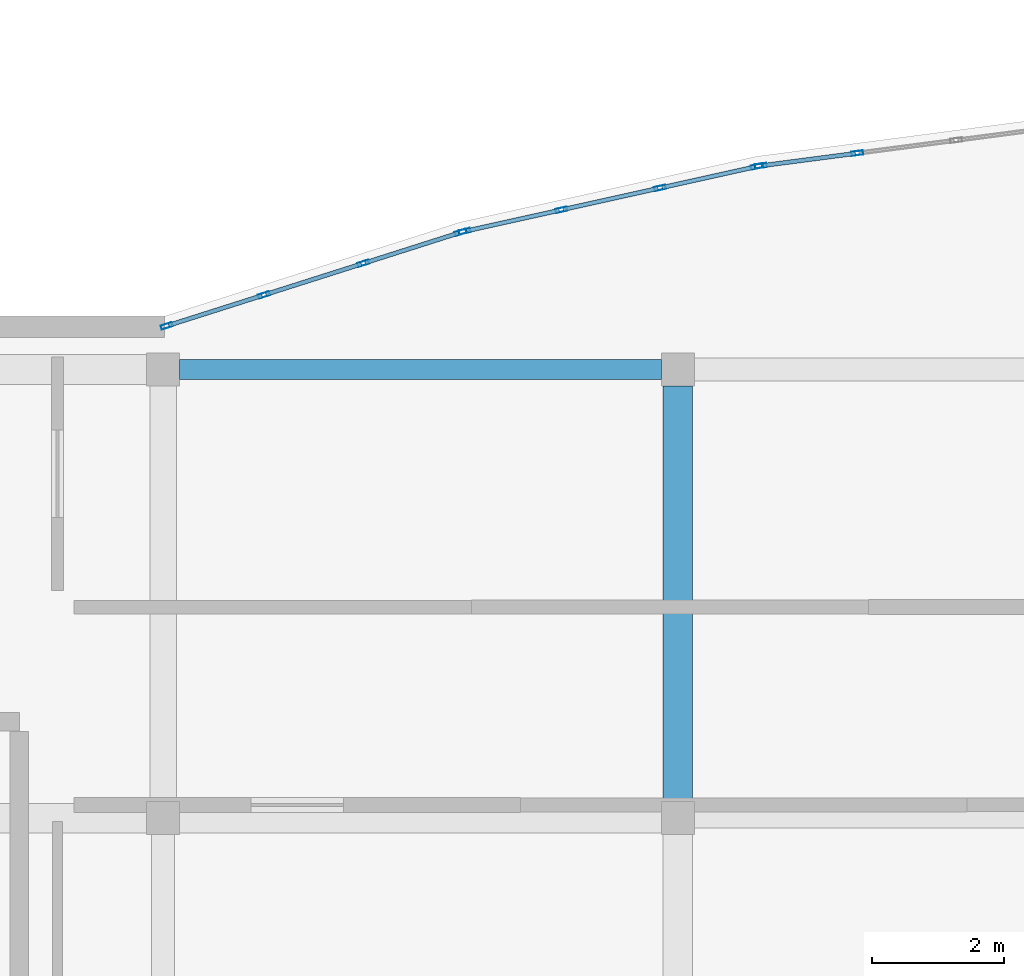
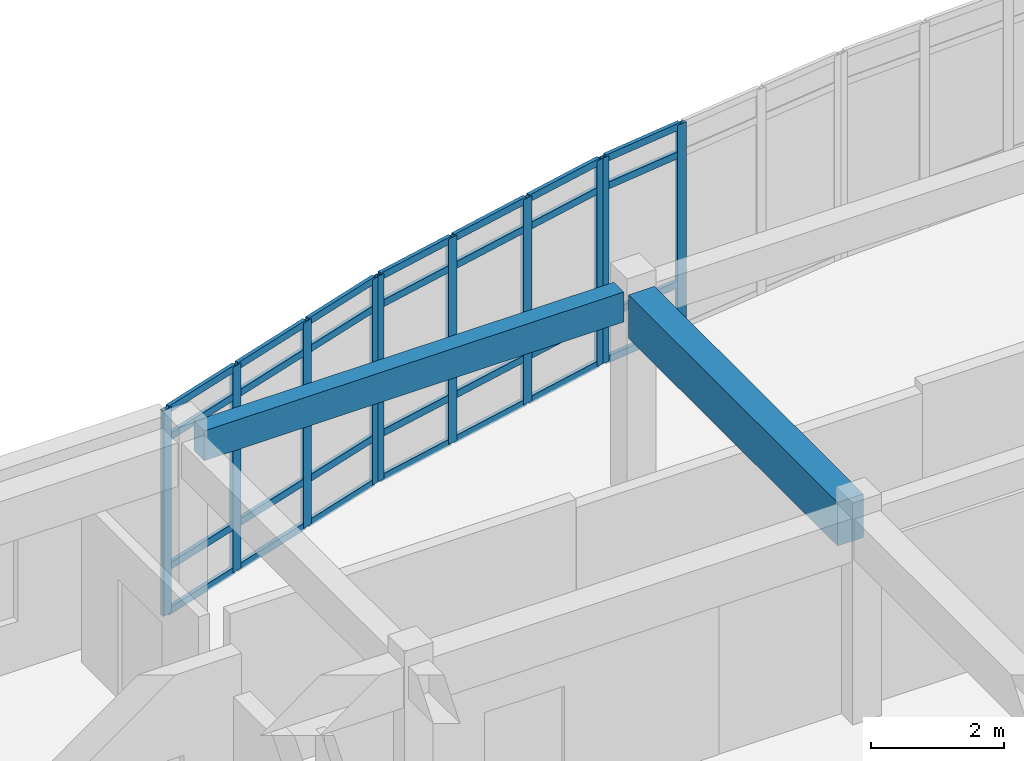
# One storey, part 36 of 91: 38 members, 2 beams, 3 elements without a shape of their own.
"""IFC4 building model written with IfcOpenShell, lengths in metres."""

from ifc_helpers import new_model, si_unit, direction, frame, origin, origin_2d, place, context, subcontext, project, spatial, rectangle, hollow_rectangle, extrude, material, layer, layer_set, material_profile, profile_set, type_object, element, aggregate, save


model = new_model("IFC4")

# Units and contexts
model_context = context("Model", 3, precision=1e-05, world=origin(), true_north=direction((0.0, 1.0)))
body_context = subcontext(model_context, "Body", "Model", "MODEL_VIEW")
ifc_project = project(units=[si_unit("LENGTHUNIT", "METRE"), si_unit("AREAUNIT", "SQUARE_METRE"), si_unit("VOLUMEUNIT", "CUBIC_METRE"), si_unit("PLANEANGLEUNIT", "RADIAN"), si_unit("MASSUNIT", "GRAM", prefix="KILO")], contexts=[model_context])

# Site, building, storey
site_placement = place(None, origin())
site = spatial("IfcSite", under=ifc_project, at=site_placement, CompositionType="ELEMENT")
building_placement = place(site_placement, origin())
building = spatial("IfcBuilding", under=site, at=building_placement, Name="Valcora Specialist Clinic", CompositionType="ELEMENT")
storey_placement = place(building_placement, frame((0.0, 0.0, 13.60009765625)))
storey = spatial("IfcBuildingStorey", under=building, at=storey_placement, Name="L03", CompositionType="ELEMENT", Elevation=13.60009765625)

# Beams
ifc_material_1 = material(Name="Concrete C40/50", Category="concrete")
ifc_material_profile_1 = material_profile(ifc_material_1, rectangle(XDim=0.300048828125, YDim=0.550048828125, at=origin_2d()), Name="RC-BM-300X550")
ifc_profile_set_1 = profile_set([ifc_material_profile_1], Name="Concrete C40/50")
beam_type_1 = type_object("IfcBeamType", Name="TY-BM-RC300X550", PredefinedType="BEAM", material=ifc_profile_set_1)
beam_1_placement = place(storey_placement, frame((69.25, 22.0, 3.5048828125), z_axis=(1.0, 0.0, 0.0), x_axis=(0.0, 1.0, 0.0)))
element("IfcBeam", 1, at=beam_1_placement, inside=storey, type_object=beam_type_1, Name="Beam BM-L03-1441", PredefinedType="BEAM", context=body_context, shape_type="SweptSolid", body=[
    extrude(rectangle(XDim=0.300048828125, YDim=0.550048828125, at=origin_2d()), origin(), (0.0, 0.0, 1.0), 7.300048828125),
])
ifc_material_profile_2 = material_profile(ifc_material_1, rectangle(XDim=0.449951171875, YDim=0.800048828125, at=origin_2d()), Name="RC-BM-450X800")
ifc_profile_set_2 = profile_set([ifc_material_profile_2], Name="Concrete C40/50")
beam_type_2 = type_object("IfcBeamType", Name="TY-BM-RC450X800", PredefinedType="BEAM", material=ifc_profile_set_2)
beam_2_placement = place(storey_placement, frame((76.800048828125, 15.449951171875, 3.3798828125), z_axis=(0.0, 1.0, 0.0), x_axis=(-1.0, 0.0, 0.0)))
element("IfcBeam", 2, at=beam_2_placement, inside=storey, type_object=beam_type_2, Name="Beam BM-L03-1456", PredefinedType="BEAM", context=body_context, shape_type="SweptSolid", body=[
    extrude(rectangle(XDim=0.449951171875, YDim=0.800048828125, at=origin_2d()), origin(), (0.0, 0.0, 1.0), 6.300048828125),
])

# Curtain wall, members
ifc_material_2 = material(Name="Anodized Bronze Aluminium 6063-T6", Category="aluminium")
ifc_layer = layer(ifc_material_2, 0.175048828125)
ifc_layer_set = layer_set([ifc_layer], Name="Anodized Bronze Aluminium 6063-T6")
curtain_wall_type = type_object("IfcCurtainWallType", Name="TY-CW-ARC40", PredefinedType="NOTDEFINED", material=ifc_layer_set)
curtain_wall_1_placement = place(storey_placement, origin())
curtain_wall_1 = element("IfcCurtainWall", 3, at=curtain_wall_1_placement, inside=storey, type_object=curtain_wall_type, Name="Curtain wall CW-L03-210", PredefinedType="NOTDEFINED")
ifc_material_profile_3 = material_profile(ifc_material_2, hollow_rectangle(XDim=0.06494140625, YDim=0.175048828125, WallThickness=0.00390625, at=origin_2d()), Name="AL-MUL-65X175")
ifc_profile_set_3 = profile_set([ifc_material_profile_3], Name="Anodized Bronze Aluminium 6063-T6")
member_type_1 = type_object("IfcMemberType", Name="TY-CWM-65X175", PredefinedType="MULLION", material=ifc_profile_set_3)
member_1_placement = place(storey_placement, frame((69.05419921875, 22.659912109375, 0.0), z_axis=(0.0, 0.0, 1.0), x_axis=(-0.303233270958, 0.952916356972, 0.0)))
member_1 = element("IfcMember", 4, at=member_1_placement, type_object=member_type_1, Name="CW-ARC-40 mullion 1", PredefinedType="MULLION", context=body_context, shape_type="SweptSolid", body=[
    extrude(hollow_rectangle(XDim=0.06494140625, YDim=0.175048828125, WallThickness=0.00390625, at=origin_2d()), origin(), (0.0, 0.0, 1.0), 3.77978515625),
])
member_2_placement = place(storey_placement, frame((70.528564453125, 23.12890625, 0.0), z_axis=(0.0, 0.0, 1.0), x_axis=(-0.303233270958, 0.952916356972, 0.0)))
member_2 = element("IfcMember", 5, at=member_2_placement, type_object=member_type_1, Name="CW-ARC-40 mullion 2", PredefinedType="MULLION", context=body_context, shape_type="SweptSolid", body=[
    extrude(hollow_rectangle(XDim=0.06494140625, YDim=0.175048828125, WallThickness=0.00390625, at=origin_2d()), origin(), (0.0, 0.0, 1.0), 3.77978515625),
])
member_3_placement = place(storey_placement, frame((72.033935546875, 23.60791015625, 0.0), z_axis=(0.0, 0.0, 1.0), x_axis=(-0.303233270958, 0.952916356972, 0.0)))
member_3 = element("IfcMember", 6, at=member_3_placement, type_object=member_type_1, Name="CW-ARC-40 mullion 3", PredefinedType="MULLION", context=body_context, shape_type="SweptSolid", body=[
    extrude(hollow_rectangle(XDim=0.06494140625, YDim=0.175048828125, WallThickness=0.00390625, at=origin_2d()), origin(), (0.0, 0.0, 1.0), 3.77978515625),
])
member_4_placement = place(storey_placement, frame((73.508056640625, 24.0771484375, 0.0), z_axis=(0.0, 0.0, 1.0), x_axis=(-0.303233270958, 0.952916356972, 0.0)))
member_4 = element("IfcMember", 7, at=member_4_placement, type_object=member_type_1, Name="CW-ARC-40 mullion 4", PredefinedType="MULLION", context=body_context, shape_type="SweptSolid", body=[
    extrude(hollow_rectangle(XDim=0.06494140625, YDim=0.175048828125, WallThickness=0.00390625, at=origin_2d()), origin(), (0.0, 0.0, 1.0), 3.77978515625),
])

curtain_wall_2_placement = place(storey_placement, origin())
curtain_wall_2 = element("IfcCurtainWall", 8, at=curtain_wall_2_placement, inside=storey, type_object=curtain_wall_type, Name="Curtain wall CW-L03-211", PredefinedType="NOTDEFINED")
member_5_placement = place(storey_placement, frame((73.57080078125, 24.093994140625, 0.0), z_axis=(0.0, 0.0, 1.0), x_axis=(-0.216518052372, 0.976278614432, 0.0)))
member_5 = element("IfcMember", 9, at=member_5_placement, type_object=member_type_1, Name="CW-ARC-40 mullion 1", PredefinedType="MULLION", context=body_context, shape_type="SweptSolid", body=[
    extrude(hollow_rectangle(XDim=0.06494140625, YDim=0.175048828125, WallThickness=0.00390625, at=origin_2d()), origin(), (0.0, 0.0, 1.0), 3.77978515625),
])
member_6_placement = place(storey_placement, frame((75.03466796875, 24.418701171875, 0.0), z_axis=(0.0, 0.0, 1.0), x_axis=(-0.216518052372, 0.976278614432, 0.0)))
member_6 = element("IfcMember", 10, at=member_6_placement, type_object=member_type_1, Name="CW-ARC-40 mullion 2", PredefinedType="MULLION", context=body_context, shape_type="SweptSolid", body=[
    extrude(hollow_rectangle(XDim=0.06494140625, YDim=0.175048828125, WallThickness=0.00390625, at=origin_2d()), origin(), (0.0, 0.0, 1.0), 3.77978515625),
])
member_7_placement = place(storey_placement, frame((76.5302734375, 24.75048828125, 0.0), z_axis=(0.0, 0.0, 1.0), x_axis=(-0.216518052372, 0.976278614432, 0.0)))
member_7 = element("IfcMember", 11, at=member_7_placement, type_object=member_type_1, Name="CW-ARC-40 mullion 3", PredefinedType="MULLION", context=body_context, shape_type="SweptSolid", body=[
    extrude(hollow_rectangle(XDim=0.06494140625, YDim=0.175048828125, WallThickness=0.00390625, at=origin_2d()), origin(), (0.0, 0.0, 1.0), 3.77978515625),
])
member_8_placement = place(storey_placement, frame((77.994384765625, 25.074951171875, 0.0), z_axis=(0.0, 0.0, 1.0), x_axis=(-0.216518052372, 0.976278614432, 0.0)))
member_8 = element("IfcMember", 12, at=member_8_placement, type_object=member_type_1, Name="CW-ARC-40 mullion 4", PredefinedType="MULLION", context=body_context, shape_type="SweptSolid", body=[
    extrude(hollow_rectangle(XDim=0.06494140625, YDim=0.175048828125, WallThickness=0.00390625, at=origin_2d()), origin(), (0.0, 0.0, 1.0), 3.77978515625),
])

curtain_wall_3_placement = place(storey_placement, origin())
curtain_wall_3 = element("IfcCurtainWall", 13, at=curtain_wall_3_placement, inside=storey, type_object=curtain_wall_type, Name="Curtain wall CW-L03-212", PredefinedType="NOTDEFINED")
member_9_placement = place(storey_placement, frame((78.05810546875, 25.08642578125, 0.0), z_axis=(0.0, 0.0, 1.0), x_axis=(-0.129999492259, 0.991514060421, 0.0)))
member_9 = element("IfcMember", 14, at=member_9_placement, type_object=member_type_1, Name="CW-ARC-40 mullion 1", PredefinedType="MULLION", context=body_context, shape_type="SweptSolid", body=[
    extrude(hollow_rectangle(XDim=0.06494140625, YDim=0.175048828125, WallThickness=0.00390625, at=origin_2d()), origin(), (0.0, 0.0, 1.0), 3.77978515625),
])
member_10_placement = place(storey_placement, frame((79.521728515625, 25.2783203125, 0.0), z_axis=(0.0, 0.0, 1.0), x_axis=(-0.129999492259, 0.991514060421, 0.0)))
member_10 = element("IfcMember", 15, at=member_10_placement, type_object=member_type_1, Name="CW-ARC-40 mullion 2", PredefinedType="MULLION", context=body_context, shape_type="SweptSolid", body=[
    extrude(hollow_rectangle(XDim=0.06494140625, YDim=0.175048828125, WallThickness=0.00390625, at=origin_2d()), origin(), (0.0, 0.0, 1.0), 3.77978515625),
])

# Member
ifc_material_profile_4 = material_profile(ifc_material_2, hollow_rectangle(XDim=0.06494140625, YDim=0.1298828125, WallThickness=0.00390625, at=origin_2d()), Name="AL-TRN-65X130")
ifc_profile_set_4 = profile_set([ifc_material_profile_4], Name="Anodized Bronze Aluminium 6063-T6")
member_type_2 = type_object("IfcMemberType", Name="TY-CWT-65X130", PredefinedType="USERDEFINED", material=ifc_profile_set_4)
member_11_placement = place(storey_placement, frame((69.085205078125, 22.669677734375, 0.032470703125), z_axis=(0.952910635624, 0.303251249816, 0.0), x_axis=(-0.303251249816, 0.952910635624, 0.0)))
member_11 = element("IfcMember", 16, at=member_11_placement, type_object=member_type_2, Name="CW-ARC-40 transom 1.1", ObjectType="TRANSOM", PredefinedType="USERDEFINED", context=body_context, shape_type="SweptSolid", body=[
    extrude(hollow_rectangle(XDim=0.06494140625, YDim=0.1298828125, WallThickness=0.00390625, at=origin_2d()), origin(), (0.0, 0.0, 1.0), 1.482177734375),
])

member_12_placement = place(storey_placement, frame((69.085205078125, 22.669677734375, 0.849853515625), z_axis=(0.952910635624, 0.303251249816, 0.0), x_axis=(-0.303251249816, 0.952910635624, 0.0)))
member_12 = element("IfcMember", 17, at=member_12_placement, type_object=member_type_2, Name="CW-ARC-40 transom 1.2", ObjectType="TRANSOM", PredefinedType="USERDEFINED", context=body_context, shape_type="SweptSolid", body=[
    extrude(hollow_rectangle(XDim=0.06494140625, YDim=0.1298828125, WallThickness=0.00390625, at=origin_2d()), origin(), (0.0, 0.0, 1.0), 1.482177734375),
])

member_13_placement = place(storey_placement, frame((69.085205078125, 22.669677734375, 3.22998046875), z_axis=(0.952910635624, 0.303251249816, 0.0), x_axis=(-0.303251249816, 0.952910635624, 0.0)))
member_13 = element("IfcMember", 18, at=member_13_placement, type_object=member_type_2, Name="CW-ARC-40 transom 1.3", ObjectType="TRANSOM", PredefinedType="USERDEFINED", context=body_context, shape_type="SweptSolid", body=[
    extrude(hollow_rectangle(XDim=0.06494140625, YDim=0.1298828125, WallThickness=0.00390625, at=origin_2d()), origin(), (0.0, 0.0, 1.0), 1.482177734375),
])

member_14_placement = place(storey_placement, frame((69.085205078125, 22.669677734375, 3.747314453125), z_axis=(0.952910635624, 0.303251249816, 0.0), x_axis=(-0.303251249816, 0.952910635624, 0.0)))
member_14 = element("IfcMember", 19, at=member_14_placement, type_object=member_type_2, Name="CW-ARC-40 transom 1.4", ObjectType="TRANSOM", PredefinedType="USERDEFINED", context=body_context, shape_type="SweptSolid", body=[
    extrude(hollow_rectangle(XDim=0.06494140625, YDim=0.1298828125, WallThickness=0.00390625, at=origin_2d()), origin(), (0.0, 0.0, 1.0), 1.482177734375),
])

member_15_placement = place(storey_placement, frame((70.5595703125, 23.138916015625, 0.032470703125), z_axis=(0.952930013692, 0.303190351109, 0.0), x_axis=(-0.303190351109, 0.952930013692, 0.0)))
member_15 = element("IfcMember", 20, at=member_15_placement, type_object=member_type_2, Name="CW-ARC-40 transom 2.1", ObjectType="TRANSOM", PredefinedType="USERDEFINED", context=body_context, shape_type="SweptSolid", body=[
    extrude(hollow_rectangle(XDim=0.06494140625, YDim=0.1298828125, WallThickness=0.00390625, at=origin_2d()), origin(), (0.0, 0.0, 1.0), 1.5146484375),
])

member_16_placement = place(storey_placement, frame((70.5595703125, 23.138916015625, 0.849853515625), z_axis=(0.952930013692, 0.303190351109, 0.0), x_axis=(-0.303190351109, 0.952930013692, 0.0)))
member_16 = element("IfcMember", 21, at=member_16_placement, type_object=member_type_2, Name="CW-ARC-40 transom 2.2", ObjectType="TRANSOM", PredefinedType="USERDEFINED", context=body_context, shape_type="SweptSolid", body=[
    extrude(hollow_rectangle(XDim=0.06494140625, YDim=0.1298828125, WallThickness=0.00390625, at=origin_2d()), origin(), (0.0, 0.0, 1.0), 1.5146484375),
])

member_17_placement = place(storey_placement, frame((70.5595703125, 23.138916015625, 3.22998046875), z_axis=(0.952930013692, 0.303190351109, 0.0), x_axis=(-0.303190351109, 0.952930013692, 0.0)))
member_17 = element("IfcMember", 22, at=member_17_placement, type_object=member_type_2, Name="CW-ARC-40 transom 2.3", ObjectType="TRANSOM", PredefinedType="USERDEFINED", context=body_context, shape_type="SweptSolid", body=[
    extrude(hollow_rectangle(XDim=0.06494140625, YDim=0.1298828125, WallThickness=0.00390625, at=origin_2d()), origin(), (0.0, 0.0, 1.0), 1.5146484375),
])

member_18_placement = place(storey_placement, frame((70.5595703125, 23.138916015625, 3.747314453125), z_axis=(0.952930013692, 0.303190351109, 0.0), x_axis=(-0.303190351109, 0.952930013692, 0.0)))
member_18 = element("IfcMember", 23, at=member_18_placement, type_object=member_type_2, Name="CW-ARC-40 transom 2.4", ObjectType="TRANSOM", PredefinedType="USERDEFINED", context=body_context, shape_type="SweptSolid", body=[
    extrude(hollow_rectangle(XDim=0.06494140625, YDim=0.1298828125, WallThickness=0.00390625, at=origin_2d()), origin(), (0.0, 0.0, 1.0), 1.5146484375),
])

member_19_placement = place(storey_placement, frame((72.064697265625, 23.617919921875, 0.032470703125), z_axis=(0.952910635624, 0.303251249816, 0.0), x_axis=(-0.303251249816, 0.952910635624, 0.0)))
member_19 = element("IfcMember", 24, at=member_19_placement, type_object=member_type_2, Name="CW-ARC-40 transom 3.1", ObjectType="TRANSOM", PredefinedType="USERDEFINED", context=body_context, shape_type="SweptSolid", body=[
    extrude(hollow_rectangle(XDim=0.06494140625, YDim=0.1298828125, WallThickness=0.00390625, at=origin_2d()), origin(), (0.0, 0.0, 1.0), 1.482177734375),
])

member_20_placement = place(storey_placement, frame((72.064697265625, 23.617919921875, 0.849853515625), z_axis=(0.952910635624, 0.303251249816, 0.0), x_axis=(-0.303251249816, 0.952910635624, 0.0)))
member_20 = element("IfcMember", 25, at=member_20_placement, type_object=member_type_2, Name="CW-ARC-40 transom 3.2", ObjectType="TRANSOM", PredefinedType="USERDEFINED", context=body_context, shape_type="SweptSolid", body=[
    extrude(hollow_rectangle(XDim=0.06494140625, YDim=0.1298828125, WallThickness=0.00390625, at=origin_2d()), origin(), (0.0, 0.0, 1.0), 1.482177734375),
])

member_21_placement = place(storey_placement, frame((72.064697265625, 23.617919921875, 3.22998046875), z_axis=(0.952910635624, 0.303251249816, 0.0), x_axis=(-0.303251249816, 0.952910635624, 0.0)))
member_21 = element("IfcMember", 26, at=member_21_placement, type_object=member_type_2, Name="CW-ARC-40 transom 3.3", ObjectType="TRANSOM", PredefinedType="USERDEFINED", context=body_context, shape_type="SweptSolid", body=[
    extrude(hollow_rectangle(XDim=0.06494140625, YDim=0.1298828125, WallThickness=0.00390625, at=origin_2d()), origin(), (0.0, 0.0, 1.0), 1.482177734375),
])

member_22_placement = place(storey_placement, frame((72.064697265625, 23.617919921875, 3.747314453125), z_axis=(0.952910635624, 0.303251249816, 0.0), x_axis=(-0.303251249816, 0.952910635624, 0.0)))
member_22 = element("IfcMember", 27, at=member_22_placement, type_object=member_type_2, Name="CW-ARC-40 transom 3.4", ObjectType="TRANSOM", PredefinedType="USERDEFINED", context=body_context, shape_type="SweptSolid", body=[
    extrude(hollow_rectangle(XDim=0.06494140625, YDim=0.1298828125, WallThickness=0.00390625, at=origin_2d()), origin(), (0.0, 0.0, 1.0), 1.482177734375),
])

aggregate(curtain_wall_1, [member_1, member_2, member_3, member_4, member_11, member_12, member_13, member_14, member_15, member_16, member_17, member_18, member_19, member_20, member_21, member_22])

member_23_placement = place(storey_placement, frame((73.6025390625, 24.10107421875, 0.032470703125), z_axis=(0.976283078872, 0.216497921256, 0.0), x_axis=(-0.216497921256, 0.976283078872, 0.0)))
member_23 = element("IfcMember", 28, at=member_23_placement, type_object=member_type_2, Name="CW-ARC-40 transom 1.1", ObjectType="TRANSOM", PredefinedType="USERDEFINED", context=body_context, shape_type="SweptSolid", body=[
    extrude(hollow_rectangle(XDim=0.06494140625, YDim=0.1298828125, WallThickness=0.00390625, at=origin_2d()), origin(), (0.0, 0.0, 1.0), 1.434326171875),
])

member_24_placement = place(storey_placement, frame((73.6025390625, 24.10107421875, 0.849853515625), z_axis=(0.976283078872, 0.216497921256, 0.0), x_axis=(-0.216497921256, 0.976283078872, 0.0)))
member_24 = element("IfcMember", 29, at=member_24_placement, type_object=member_type_2, Name="CW-ARC-40 transom 1.2", ObjectType="TRANSOM", PredefinedType="USERDEFINED", context=body_context, shape_type="SweptSolid", body=[
    extrude(hollow_rectangle(XDim=0.06494140625, YDim=0.1298828125, WallThickness=0.00390625, at=origin_2d()), origin(), (0.0, 0.0, 1.0), 1.434326171875),
])

member_25_placement = place(storey_placement, frame((73.6025390625, 24.10107421875, 3.22998046875), z_axis=(0.976283078872, 0.216497921256, 0.0), x_axis=(-0.216497921256, 0.976283078872, 0.0)))
member_25 = element("IfcMember", 30, at=member_25_placement, type_object=member_type_2, Name="CW-ARC-40 transom 1.3", ObjectType="TRANSOM", PredefinedType="USERDEFINED", context=body_context, shape_type="SweptSolid", body=[
    extrude(hollow_rectangle(XDim=0.06494140625, YDim=0.1298828125, WallThickness=0.00390625, at=origin_2d()), origin(), (0.0, 0.0, 1.0), 1.434326171875),
])

member_26_placement = place(storey_placement, frame((73.6025390625, 24.10107421875, 3.747314453125), z_axis=(0.976283078872, 0.216497921256, 0.0), x_axis=(-0.216497921256, 0.976283078872, 0.0)))
member_26 = element("IfcMember", 31, at=member_26_placement, type_object=member_type_2, Name="CW-ARC-40 transom 1.4", ObjectType="TRANSOM", PredefinedType="USERDEFINED", context=body_context, shape_type="SweptSolid", body=[
    extrude(hollow_rectangle(XDim=0.06494140625, YDim=0.1298828125, WallThickness=0.00390625, at=origin_2d()), origin(), (0.0, 0.0, 1.0), 1.434326171875),
])

member_27_placement = place(storey_placement, frame((75.06640625, 24.42578125, 0.032470703125), z_axis=(0.976277043921, 0.216525133676, 0.0), x_axis=(-0.216525133676, 0.976277043921, 0.0)))
member_27 = element("IfcMember", 32, at=member_27_placement, type_object=member_type_2, Name="CW-ARC-40 transom 2.1", ObjectType="TRANSOM", PredefinedType="USERDEFINED", context=body_context, shape_type="SweptSolid", body=[
    extrude(hollow_rectangle(XDim=0.06494140625, YDim=0.1298828125, WallThickness=0.00390625, at=origin_2d()), origin(), (0.0, 0.0, 1.0), 1.467041015625),
])

member_28_placement = place(storey_placement, frame((75.06640625, 24.42578125, 0.849853515625), z_axis=(0.976277043921, 0.216525133676, 0.0), x_axis=(-0.216525133676, 0.976277043921, 0.0)))
member_28 = element("IfcMember", 33, at=member_28_placement, type_object=member_type_2, Name="CW-ARC-40 transom 2.2", ObjectType="TRANSOM", PredefinedType="USERDEFINED", context=body_context, shape_type="SweptSolid", body=[
    extrude(hollow_rectangle(XDim=0.06494140625, YDim=0.1298828125, WallThickness=0.00390625, at=origin_2d()), origin(), (0.0, 0.0, 1.0), 1.467041015625),
])

member_29_placement = place(storey_placement, frame((75.06640625, 24.42578125, 3.22998046875), z_axis=(0.976277043921, 0.216525133676, 0.0), x_axis=(-0.216525133676, 0.976277043921, 0.0)))
member_29 = element("IfcMember", 34, at=member_29_placement, type_object=member_type_2, Name="CW-ARC-40 transom 2.3", ObjectType="TRANSOM", PredefinedType="USERDEFINED", context=body_context, shape_type="SweptSolid", body=[
    extrude(hollow_rectangle(XDim=0.06494140625, YDim=0.1298828125, WallThickness=0.00390625, at=origin_2d()), origin(), (0.0, 0.0, 1.0), 1.467041015625),
])

member_30_placement = place(storey_placement, frame((75.06640625, 24.42578125, 3.747314453125), z_axis=(0.976277043921, 0.216525133676, 0.0), x_axis=(-0.216525133676, 0.976277043921, 0.0)))
member_30 = element("IfcMember", 35, at=member_30_placement, type_object=member_type_2, Name="CW-ARC-40 transom 2.4", ObjectType="TRANSOM", PredefinedType="USERDEFINED", context=body_context, shape_type="SweptSolid", body=[
    extrude(hollow_rectangle(XDim=0.06494140625, YDim=0.1298828125, WallThickness=0.00390625, at=origin_2d()), origin(), (0.0, 0.0, 1.0), 1.467041015625),
])

member_31_placement = place(storey_placement, frame((76.56201171875, 24.75732421875, 0.032470703125), z_axis=(0.976255079417, 0.216624144343, 0.0), x_axis=(-0.216624144343, 0.976255079417, 0.0)))
member_31 = element("IfcMember", 36, at=member_31_placement, type_object=member_type_2, Name="CW-ARC-40 transom 3.1", ObjectType="TRANSOM", PredefinedType="USERDEFINED", context=body_context, shape_type="SweptSolid", body=[
    extrude(hollow_rectangle(XDim=0.06494140625, YDim=0.1298828125, WallThickness=0.00390625, at=origin_2d()), origin(), (0.0, 0.0, 1.0), 1.434814453125),
])

member_32_placement = place(storey_placement, frame((76.56201171875, 24.75732421875, 0.849853515625), z_axis=(0.976255079417, 0.216624144343, 0.0), x_axis=(-0.216624144343, 0.976255079417, 0.0)))
member_32 = element("IfcMember", 37, at=member_32_placement, type_object=member_type_2, Name="CW-ARC-40 transom 3.2", ObjectType="TRANSOM", PredefinedType="USERDEFINED", context=body_context, shape_type="SweptSolid", body=[
    extrude(hollow_rectangle(XDim=0.06494140625, YDim=0.1298828125, WallThickness=0.00390625, at=origin_2d()), origin(), (0.0, 0.0, 1.0), 1.434814453125),
])

member_33_placement = place(storey_placement, frame((76.56201171875, 24.75732421875, 3.22998046875), z_axis=(0.976255079417, 0.216624144343, 0.0), x_axis=(-0.216624144343, 0.976255079417, 0.0)))
member_33 = element("IfcMember", 38, at=member_33_placement, type_object=member_type_2, Name="CW-ARC-40 transom 3.3", ObjectType="TRANSOM", PredefinedType="USERDEFINED", context=body_context, shape_type="SweptSolid", body=[
    extrude(hollow_rectangle(XDim=0.06494140625, YDim=0.1298828125, WallThickness=0.00390625, at=origin_2d()), origin(), (0.0, 0.0, 1.0), 1.434814453125),
])

member_34_placement = place(storey_placement, frame((76.56201171875, 24.75732421875, 3.747314453125), z_axis=(0.976255079417, 0.216624144343, 0.0), x_axis=(-0.216624144343, 0.976255079417, 0.0)))
member_34 = element("IfcMember", 39, at=member_34_placement, type_object=member_type_2, Name="CW-ARC-40 transom 3.4", ObjectType="TRANSOM", PredefinedType="USERDEFINED", context=body_context, shape_type="SweptSolid", body=[
    extrude(hollow_rectangle(XDim=0.06494140625, YDim=0.1298828125, WallThickness=0.00390625, at=origin_2d()), origin(), (0.0, 0.0, 1.0), 1.434814453125),
])

aggregate(curtain_wall_2, [member_5, member_6, member_7, member_8, member_23, member_24, member_25, member_26, member_27, member_28, member_29, member_30, member_31, member_32, member_33, member_34])

member_35_placement = place(storey_placement, frame((78.09033203125, 25.090576171875, 0.032470703125), z_axis=(0.991523055248, 0.129930869742, 0.0), x_axis=(-0.129930869742, 0.991523055248, 0.0)))
member_35 = element("IfcMember", 40, at=member_35_placement, type_object=member_type_2, Name="CW-ARC-40 transom 1.1", ObjectType="TRANSOM", PredefinedType="USERDEFINED", context=body_context, shape_type="SweptSolid", body=[
    extrude(hollow_rectangle(XDim=0.06494140625, YDim=0.1298828125, WallThickness=0.00390625, at=origin_2d()), origin(), (0.0, 0.0, 1.0), 1.4111328125),
])

member_36_placement = place(storey_placement, frame((78.09033203125, 25.090576171875, 0.849853515625), z_axis=(0.991523055248, 0.129930869742, 0.0), x_axis=(-0.129930869742, 0.991523055248, 0.0)))
member_36 = element("IfcMember", 41, at=member_36_placement, type_object=member_type_2, Name="CW-ARC-40 transom 1.2", ObjectType="TRANSOM", PredefinedType="USERDEFINED", context=body_context, shape_type="SweptSolid", body=[
    extrude(hollow_rectangle(XDim=0.06494140625, YDim=0.1298828125, WallThickness=0.00390625, at=origin_2d()), origin(), (0.0, 0.0, 1.0), 1.4111328125),
])

member_37_placement = place(storey_placement, frame((78.09033203125, 25.090576171875, 3.22998046875), z_axis=(0.991523055248, 0.129930869742, 0.0), x_axis=(-0.129930869742, 0.991523055248, 0.0)))
member_37 = element("IfcMember", 42, at=member_37_placement, type_object=member_type_2, Name="CW-ARC-40 transom 1.3", ObjectType="TRANSOM", PredefinedType="USERDEFINED", context=body_context, shape_type="SweptSolid", body=[
    extrude(hollow_rectangle(XDim=0.06494140625, YDim=0.1298828125, WallThickness=0.00390625, at=origin_2d()), origin(), (0.0, 0.0, 1.0), 1.4111328125),
])

member_38_placement = place(storey_placement, frame((78.09033203125, 25.090576171875, 3.747314453125), z_axis=(0.991523055248, 0.129930869742, 0.0), x_axis=(-0.129930869742, 0.991523055248, 0.0)))
member_38 = element("IfcMember", 43, at=member_38_placement, type_object=member_type_2, Name="CW-ARC-40 transom 1.4", ObjectType="TRANSOM", PredefinedType="USERDEFINED", context=body_context, shape_type="SweptSolid", body=[
    extrude(hollow_rectangle(XDim=0.06494140625, YDim=0.1298828125, WallThickness=0.00390625, at=origin_2d()), origin(), (0.0, 0.0, 1.0), 1.4111328125),
])

aggregate(curtain_wall_3, [member_9, member_10, member_35, member_36, member_37, member_38])

save(model, "model.ifc")
